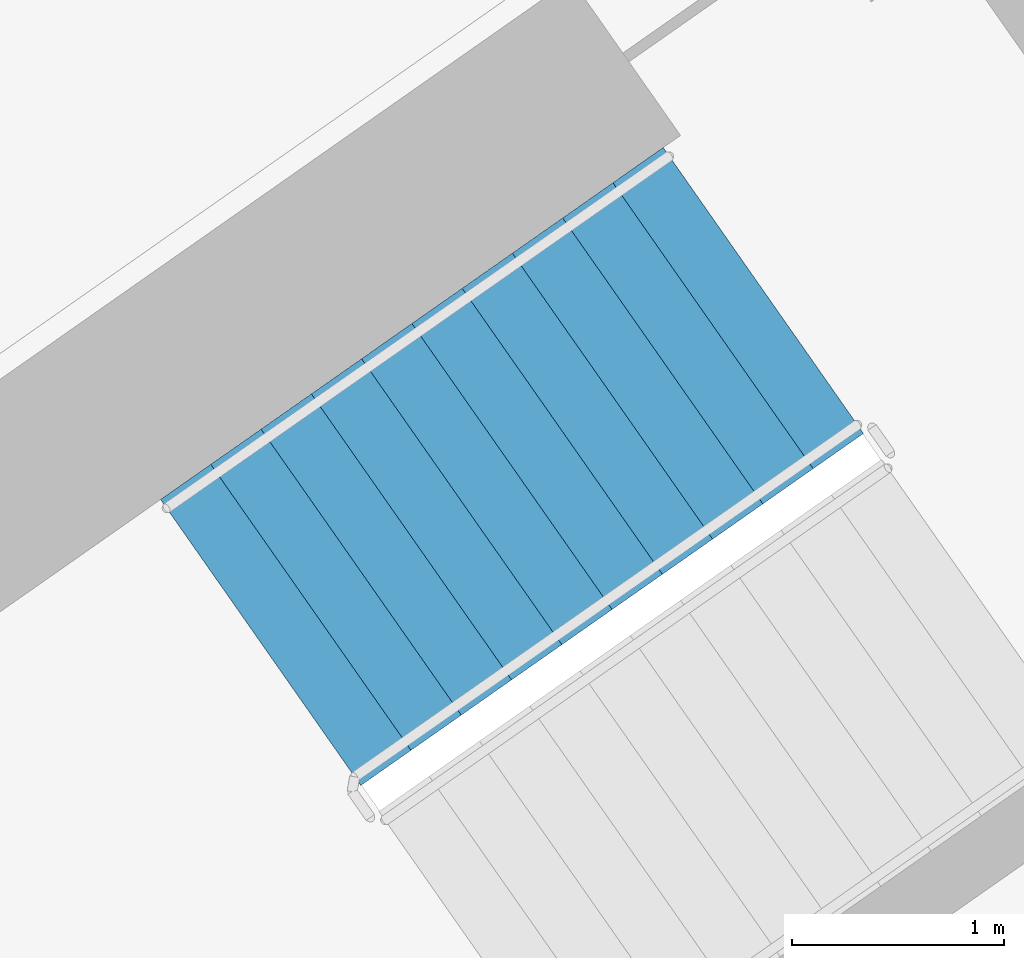
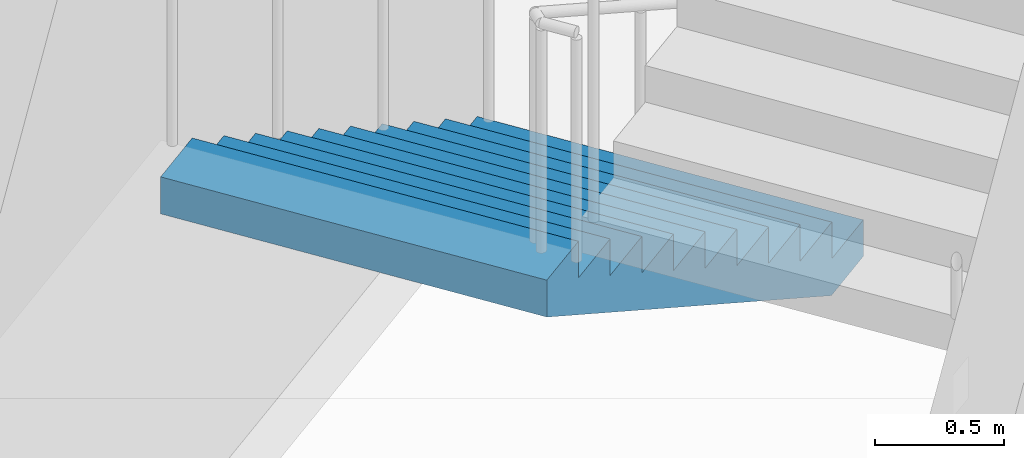
# One storey, part 13 of 29: 1 stair flight, 1 element without a shape of its own.
"""IFC4 building model written with IfcOpenShell, lengths in metres."""

from ifc_helpers import new_model, si_unit, direction, frame, origin, place, context, subcontext, project, spatial, faceted_brep, material, type_object, element, aggregate, save


model = new_model("IFC4")

# Units and contexts
model_context = context("Model", 3, precision=1e-05, world=origin(), true_north=direction((0.0, 1.0)))
body_context = subcontext(model_context, "Body", "Model", "MODEL_VIEW")
ifc_project = project(units=[si_unit("LENGTHUNIT", "METRE"), si_unit("AREAUNIT", "SQUARE_METRE"), si_unit("VOLUMEUNIT", "CUBIC_METRE"), si_unit("PLANEANGLEUNIT", "RADIAN"), si_unit("MASSUNIT", "GRAM", prefix="KILO")], contexts=[model_context])

# Site, building, storey
site_placement = place(None, origin())
site = spatial("IfcSite", under=ifc_project, at=site_placement, CompositionType="ELEMENT")
building_placement = place(site_placement, origin())
building = spatial("IfcBuilding", under=site, at=building_placement, Name="Qamariyya Broadcast Tower", CompositionType="ELEMENT")
storey_placement = place(building_placement, frame((0.0, 0.0, 132.89990234375)))
storey = spatial("IfcBuildingStorey", under=building, at=storey_placement, Name="L30", CompositionType="ELEMENT", Elevation=132.89990234375)

# Stair, stair flight
ifc_material = material(Name="Concrete C50/60", Category="concrete")
stair_type = type_object("IfcStairType", Name="Exit stair 22 risers of 173 mm", PredefinedType="HALF_TURN_STAIR", material=ifc_material)
stair_placement = place(storey_placement, origin())
stair = element("IfcStair", 1, at=stair_placement, inside=storey, type_object=stair_type, Name="L30 Stair E2", PredefinedType="HALF_TURN_STAIR")
stair_flight_type = type_object("IfcStairFlightType", Name="Exit stair flight 11 risers of 173 mm", PredefinedType="STRAIGHT", material=ifc_material)
stair_flight_placement = place(storey_placement, frame((40.558837890625, -47.685302734375, 0.0), z_axis=(0.0, 0.0, 1.0), x_axis=(-0.819152044289, -0.573576436351, 0.0)))
stair_flight = element("IfcStairFlight", 2, at=stair_flight_placement, type_object=stair_flight_type, Name="ST-E2 flight 1", NumberOfRisers=11, NumberOfTreads=10, PredefinedType="STRAIGHT", RiserHeight=0.172727273, TreadLength=0.29, context=body_context, shape_type="Brep", body=[
    faceted_brep([(0.0, 0.824951171875, 0.0), (0.0, 0.824951171875, 0.172607421875), (0.2900390625, 0.824951171875, 0.172607421875), (0.2900390625, 0.824951171875, 0.345458984375), (0.580078125, 0.824951171875, 0.345458984375), (0.580078125, 0.824951171875, 0.51806640625), (0.8701171875, 0.824951171875, 0.51806640625), (0.8701171875, 0.824951171875, 0.69091796875), (1.159912109375, 0.824951171875, 0.69091796875), (1.159912109375, 0.824951171875, 0.863525390625), (1.449951171875, 0.824951171875, 0.863525390625), (1.449951171875, 0.824951171875, 1.036376953125), (1.739990234375, 0.824951171875, 1.036376953125), (1.739990234375, 0.824951171875, 1.208984375), (2.030029296875, 0.824951171875, 1.208984375), (2.030029296875, 0.824951171875, 1.3818359375), (2.320068359375, 0.824951171875, 1.3818359375), (2.320068359375, 0.824951171875, 1.554443359375), (2.610107421875, 0.824951171875, 1.554443359375), (2.610107421875, 0.824951171875, 1.727294921875), (2.89990234375, 0.824951171875, 1.727294921875), (2.89990234375, 0.824951171875, 1.552734375), (0.29296875, 0.824951171875, 0.0), (0.29296875, -0.824951171875, 0.0), (2.89990234375, -0.824951171875, 1.552734375), (2.89990234375, -0.824951171875, 1.727294921875), (2.610107421875, -0.824951171875, 1.727294921875), (2.610107421875, -0.824951171875, 1.554443359375), (2.320068359375, -0.824951171875, 1.554443359375), (2.320068359375, -0.824951171875, 1.3818359375), (2.030029296875, -0.824951171875, 1.3818359375), (2.030029296875, -0.824951171875, 1.208984375), (1.739990234375, -0.824951171875, 1.208984375), (1.739990234375, -0.824951171875, 1.036376953125), (1.449951171875, -0.824951171875, 1.036376953125), (1.449951171875, -0.824951171875, 0.863525390625), (1.159912109375, -0.824951171875, 0.863525390625), (1.159912109375, -0.824951171875, 0.69091796875), (0.8701171875, -0.824951171875, 0.69091796875), (0.8701171875, -0.824951171875, 0.51806640625), (0.580078125, -0.824951171875, 0.51806640625), (0.580078125, -0.824951171875, 0.345458984375), (0.2900390625, -0.824951171875, 0.345458984375), (0.2900390625, -0.824951171875, 0.172607421875), (0.0, -0.824951171875, 0.172607421875), (0.0, -0.824951171875, 0.0), (0.0, 0.10009765625, 0.0), (0.0, 0.086669921875, 0.0), (0.0, 0.0732421875, 0.0), (0.0, 0.06005859375, 0.0), (0.0, 0.046630859375, 0.0), (0.0, 0.033447265625, 0.0), (0.0, 0.02001953125, 0.0), (0.0, 0.006591796875, 0.0), (0.0, -0.006591796875, 0.0), (0.0, -0.02001953125, 0.0), (0.0, -0.033447265625, 0.0), (0.0, -0.046630859375, 0.0), (0.0, -0.06005859375, 0.0), (0.0, -0.0732421875, 0.0), (0.0, -0.086669921875, 0.0), (0.0, -0.10009765625, 0.0), (0.0, -0.10009765625, 0.172607421875), (0.0, -0.086669921875, 0.172607421875), (0.0, -0.0732421875, 0.172607421875), (0.0, -0.06005859375, 0.172607421875), (0.0, -0.046630859375, 0.172607421875), (0.0, -0.033447265625, 0.172607421875), (0.0, -0.02001953125, 0.172607421875), (0.0, -0.006591796875, 0.172607421875), (0.0, 0.006591796875, 0.172607421875), (0.0, 0.02001953125, 0.172607421875), (0.0, 0.033447265625, 0.172607421875), (0.0, 0.046630859375, 0.172607421875), (0.0, 0.06005859375, 0.172607421875), (0.0, 0.0732421875, 0.172607421875), (0.0, 0.086669921875, 0.172607421875), (0.0, 0.10009765625, 0.172607421875), (0.2900390625, -0.10009765625, 0.172607421875), (0.2900390625, -0.086669921875, 0.172607421875), (0.2900390625, -0.0732421875, 0.172607421875), (0.2900390625, -0.06005859375, 0.172607421875), (0.2900390625, -0.046630859375, 0.172607421875), (0.2900390625, -0.033447265625, 0.172607421875), (0.2900390625, -0.02001953125, 0.172607421875), (0.2900390625, -0.006591796875, 0.172607421875), (0.2900390625, 0.006591796875, 0.172607421875), (0.2900390625, 0.02001953125, 0.172607421875), (0.2900390625, 0.033447265625, 0.172607421875), (0.2900390625, 0.046630859375, 0.172607421875), (0.2900390625, 0.06005859375, 0.172607421875), (0.2900390625, 0.0732421875, 0.172607421875), (0.2900390625, 0.086669921875, 0.172607421875), (0.2900390625, 0.10009765625, 0.172607421875), (0.2900390625, -0.10009765625, 0.345458984375), (0.2900390625, -0.086669921875, 0.345458984375), (0.2900390625, -0.0732421875, 0.345458984375), (0.2900390625, -0.06005859375, 0.345458984375), (0.2900390625, -0.046630859375, 0.345458984375), (0.2900390625, -0.033447265625, 0.345458984375), (0.2900390625, -0.02001953125, 0.345458984375), (0.2900390625, -0.006591796875, 0.345458984375), (0.2900390625, 0.006591796875, 0.345458984375), (0.2900390625, 0.02001953125, 0.345458984375), (0.2900390625, 0.033447265625, 0.345458984375), (0.2900390625, 0.046630859375, 0.345458984375), (0.2900390625, 0.06005859375, 0.345458984375), (0.2900390625, 0.0732421875, 0.345458984375), (0.2900390625, 0.086669921875, 0.345458984375), (0.2900390625, 0.10009765625, 0.345458984375), (0.580078125, -0.10009765625, 0.345458984375), (0.580078125, -0.086669921875, 0.345458984375), (0.580078125, -0.0732421875, 0.345458984375), (0.580078125, -0.06005859375, 0.345458984375), (0.580078125, -0.046630859375, 0.345458984375), (0.580078125, -0.033447265625, 0.345458984375), (0.580078125, -0.02001953125, 0.345458984375), (0.580078125, -0.006591796875, 0.345458984375), (0.580078125, 0.006591796875, 0.345458984375), (0.580078125, 0.02001953125, 0.345458984375), (0.580078125, 0.033447265625, 0.345458984375), (0.580078125, 0.046630859375, 0.345458984375), (0.580078125, 0.06005859375, 0.345458984375), (0.580078125, 0.0732421875, 0.345458984375), (0.580078125, 0.086669921875, 0.345458984375), (0.580078125, 0.10009765625, 0.345458984375), (0.580078125, -0.10009765625, 0.51806640625), (0.580078125, -0.086669921875, 0.51806640625), (0.580078125, -0.0732421875, 0.51806640625), (0.580078125, -0.06005859375, 0.51806640625), (0.580078125, -0.046630859375, 0.51806640625), (0.580078125, -0.033447265625, 0.51806640625), (0.580078125, -0.02001953125, 0.51806640625), (0.580078125, -0.006591796875, 0.51806640625), (0.580078125, 0.006591796875, 0.51806640625), (0.580078125, 0.02001953125, 0.51806640625), (0.580078125, 0.033447265625, 0.51806640625), (0.580078125, 0.046630859375, 0.51806640625), (0.580078125, 0.06005859375, 0.51806640625), (0.580078125, 0.0732421875, 0.51806640625), (0.580078125, 0.086669921875, 0.51806640625), (0.580078125, 0.10009765625, 0.51806640625), (0.8701171875, -0.10009765625, 0.51806640625), (0.8701171875, -0.086669921875, 0.51806640625), (0.8701171875, -0.0732421875, 0.51806640625), (0.8701171875, -0.06005859375, 0.51806640625), (0.8701171875, -0.046630859375, 0.51806640625), (0.8701171875, -0.033447265625, 0.51806640625), (0.8701171875, -0.02001953125, 0.51806640625), (0.8701171875, -0.006591796875, 0.51806640625), (0.8701171875, 0.006591796875, 0.51806640625), (0.8701171875, 0.02001953125, 0.51806640625), (0.8701171875, 0.033447265625, 0.51806640625), (0.8701171875, 0.046630859375, 0.51806640625), (0.8701171875, 0.06005859375, 0.51806640625), (0.8701171875, 0.0732421875, 0.51806640625), (0.8701171875, 0.086669921875, 0.51806640625), (0.8701171875, 0.10009765625, 0.51806640625), (0.8701171875, -0.10009765625, 0.69091796875), (0.8701171875, -0.086669921875, 0.69091796875), (0.8701171875, -0.0732421875, 0.69091796875), (0.8701171875, -0.06005859375, 0.69091796875), (0.8701171875, -0.046630859375, 0.69091796875), (0.8701171875, -0.033447265625, 0.69091796875), (0.8701171875, -0.02001953125, 0.69091796875), (0.8701171875, -0.006591796875, 0.69091796875), (0.8701171875, 0.006591796875, 0.69091796875), (0.8701171875, 0.02001953125, 0.69091796875), (0.8701171875, 0.033447265625, 0.69091796875), (0.8701171875, 0.046630859375, 0.69091796875), (0.8701171875, 0.06005859375, 0.69091796875), (0.8701171875, 0.0732421875, 0.69091796875), (0.8701171875, 0.086669921875, 0.69091796875), (0.8701171875, 0.10009765625, 0.69091796875), (1.159912109375, -0.10009765625, 0.69091796875), (1.159912109375, -0.086669921875, 0.69091796875), (1.159912109375, -0.0732421875, 0.69091796875), (1.159912109375, -0.06005859375, 0.69091796875), (1.159912109375, -0.046630859375, 0.69091796875), (1.159912109375, -0.033447265625, 0.69091796875), (1.159912109375, -0.02001953125, 0.69091796875), (1.159912109375, -0.006591796875, 0.69091796875), (1.159912109375, 0.006591796875, 0.69091796875), (1.159912109375, 0.02001953125, 0.69091796875), (1.159912109375, 0.033447265625, 0.69091796875), (1.159912109375, 0.046630859375, 0.69091796875), (1.159912109375, 0.06005859375, 0.69091796875), (1.159912109375, 0.0732421875, 0.69091796875), (1.159912109375, 0.086669921875, 0.69091796875), (1.159912109375, 0.10009765625, 0.69091796875), (1.159912109375, -0.10009765625, 0.863525390625), (1.159912109375, -0.086669921875, 0.863525390625), (1.159912109375, -0.0732421875, 0.863525390625), (1.159912109375, -0.06005859375, 0.863525390625), (1.159912109375, -0.046630859375, 0.863525390625), (1.159912109375, -0.033447265625, 0.863525390625), (1.159912109375, -0.02001953125, 0.863525390625), (1.159912109375, -0.006591796875, 0.863525390625), (1.159912109375, 0.006591796875, 0.863525390625), (1.159912109375, 0.02001953125, 0.863525390625), (1.159912109375, 0.033447265625, 0.863525390625), (1.159912109375, 0.046630859375, 0.863525390625), (1.159912109375, 0.06005859375, 0.863525390625), (1.159912109375, 0.0732421875, 0.863525390625), (1.159912109375, 0.086669921875, 0.863525390625), (1.159912109375, 0.10009765625, 0.863525390625), (1.449951171875, -0.10009765625, 0.863525390625), (1.449951171875, -0.086669921875, 0.863525390625), (1.449951171875, -0.0732421875, 0.863525390625), (1.449951171875, -0.06005859375, 0.863525390625), (1.449951171875, -0.046630859375, 0.863525390625), (1.449951171875, -0.033447265625, 0.863525390625), (1.449951171875, -0.02001953125, 0.863525390625), (1.449951171875, -0.006591796875, 0.863525390625), (1.449951171875, 0.006591796875, 0.863525390625), (1.449951171875, 0.02001953125, 0.863525390625), (1.449951171875, 0.033447265625, 0.863525390625), (1.449951171875, 0.046630859375, 0.863525390625), (1.449951171875, 0.06005859375, 0.863525390625), (1.449951171875, 0.0732421875, 0.863525390625), (1.449951171875, 0.086669921875, 0.863525390625), (1.449951171875, 0.10009765625, 0.863525390625), (1.449951171875, -0.10009765625, 1.036376953125), (1.449951171875, -0.086669921875, 1.036376953125), (1.449951171875, -0.0732421875, 1.036376953125), (1.449951171875, -0.06005859375, 1.036376953125), (1.449951171875, -0.046630859375, 1.036376953125), (1.449951171875, -0.033447265625, 1.036376953125), (1.449951171875, -0.02001953125, 1.036376953125), (1.449951171875, -0.006591796875, 1.036376953125), (1.449951171875, 0.006591796875, 1.036376953125), (1.449951171875, 0.02001953125, 1.036376953125), (1.449951171875, 0.033447265625, 1.036376953125), (1.449951171875, 0.046630859375, 1.036376953125), (1.449951171875, 0.06005859375, 1.036376953125), (1.449951171875, 0.0732421875, 1.036376953125), (1.449951171875, 0.086669921875, 1.036376953125), (1.449951171875, 0.10009765625, 1.036376953125), (1.739990234375, -0.10009765625, 1.036376953125), (1.739990234375, -0.086669921875, 1.036376953125), (1.739990234375, -0.0732421875, 1.036376953125), (1.739990234375, -0.06005859375, 1.036376953125), (1.739990234375, -0.046630859375, 1.036376953125), (1.739990234375, -0.033447265625, 1.036376953125), (1.739990234375, -0.02001953125, 1.036376953125), (1.739990234375, -0.006591796875, 1.036376953125), (1.739990234375, 0.006591796875, 1.036376953125), (1.739990234375, 0.02001953125, 1.036376953125), (1.739990234375, 0.033447265625, 1.036376953125), (1.739990234375, 0.046630859375, 1.036376953125), (1.739990234375, 0.06005859375, 1.036376953125), (1.739990234375, 0.0732421875, 1.036376953125), (1.739990234375, 0.086669921875, 1.036376953125), (1.739990234375, 0.10009765625, 1.036376953125), (1.739990234375, -0.10009765625, 1.208984375), (1.739990234375, -0.086669921875, 1.208984375), (1.739990234375, -0.0732421875, 1.208984375), (1.739990234375, -0.06005859375, 1.208984375), (1.739990234375, -0.046630859375, 1.208984375), (1.739990234375, -0.033447265625, 1.208984375), (1.739990234375, -0.02001953125, 1.208984375), (1.739990234375, -0.006591796875, 1.208984375), (1.739990234375, 0.006591796875, 1.208984375), (1.739990234375, 0.02001953125, 1.208984375), (1.739990234375, 0.033447265625, 1.208984375), (1.739990234375, 0.046630859375, 1.208984375), (1.739990234375, 0.06005859375, 1.208984375), (1.739990234375, 0.0732421875, 1.208984375), (1.739990234375, 0.086669921875, 1.208984375), (1.739990234375, 0.10009765625, 1.208984375), (2.030029296875, -0.10009765625, 1.208984375), (2.030029296875, -0.086669921875, 1.208984375), (2.030029296875, -0.0732421875, 1.208984375), (2.030029296875, -0.06005859375, 1.208984375), (2.030029296875, -0.046630859375, 1.208984375), (2.030029296875, -0.033447265625, 1.208984375), (2.030029296875, -0.02001953125, 1.208984375), (2.030029296875, -0.006591796875, 1.208984375), (2.030029296875, 0.006591796875, 1.208984375), (2.030029296875, 0.02001953125, 1.208984375), (2.030029296875, 0.033447265625, 1.208984375), (2.030029296875, 0.046630859375, 1.208984375), (2.030029296875, 0.06005859375, 1.208984375), (2.030029296875, 0.0732421875, 1.208984375), (2.030029296875, 0.086669921875, 1.208984375), (2.030029296875, 0.10009765625, 1.208984375), (2.030029296875, -0.10009765625, 1.3818359375), (2.030029296875, -0.086669921875, 1.3818359375), (2.030029296875, -0.0732421875, 1.3818359375), (2.030029296875, -0.06005859375, 1.3818359375), (2.030029296875, -0.046630859375, 1.3818359375), (2.030029296875, -0.033447265625, 1.3818359375), (2.030029296875, -0.02001953125, 1.3818359375), (2.030029296875, -0.006591796875, 1.3818359375), (2.030029296875, 0.006591796875, 1.3818359375), (2.030029296875, 0.02001953125, 1.3818359375), (2.030029296875, 0.033447265625, 1.3818359375), (2.030029296875, 0.046630859375, 1.3818359375), (2.030029296875, 0.06005859375, 1.3818359375), (2.030029296875, 0.0732421875, 1.3818359375), (2.030029296875, 0.086669921875, 1.3818359375), (2.030029296875, 0.10009765625, 1.3818359375), (2.320068359375, -0.10009765625, 1.3818359375), (2.320068359375, -0.086669921875, 1.3818359375), (2.320068359375, -0.0732421875, 1.3818359375), (2.320068359375, -0.06005859375, 1.3818359375), (2.320068359375, -0.046630859375, 1.3818359375), (2.320068359375, -0.033447265625, 1.3818359375), (2.320068359375, -0.02001953125, 1.3818359375), (2.320068359375, -0.006591796875, 1.3818359375), (2.320068359375, 0.006591796875, 1.3818359375), (2.320068359375, 0.02001953125, 1.3818359375), (2.320068359375, 0.033447265625, 1.3818359375), (2.320068359375, 0.046630859375, 1.3818359375), (2.320068359375, 0.06005859375, 1.3818359375), (2.320068359375, 0.0732421875, 1.3818359375), (2.320068359375, 0.086669921875, 1.3818359375), (2.320068359375, 0.10009765625, 1.3818359375), (2.320068359375, -0.10009765625, 1.554443359375), (2.320068359375, -0.086669921875, 1.554443359375), (2.320068359375, -0.0732421875, 1.554443359375), (2.320068359375, -0.06005859375, 1.554443359375), (2.320068359375, -0.046630859375, 1.554443359375), (2.320068359375, -0.033447265625, 1.554443359375), (2.320068359375, -0.02001953125, 1.554443359375), (2.320068359375, -0.006591796875, 1.554443359375), (2.320068359375, 0.006591796875, 1.554443359375), (2.320068359375, 0.02001953125, 1.554443359375), (2.320068359375, 0.033447265625, 1.554443359375), (2.320068359375, 0.046630859375, 1.554443359375), (2.320068359375, 0.06005859375, 1.554443359375), (2.320068359375, 0.0732421875, 1.554443359375), (2.320068359375, 0.086669921875, 1.554443359375), (2.320068359375, 0.10009765625, 1.554443359375), (2.610107421875, -0.10009765625, 1.554443359375), (2.610107421875, -0.086669921875, 1.554443359375), (2.610107421875, -0.0732421875, 1.554443359375), (2.610107421875, -0.06005859375, 1.554443359375), (2.610107421875, -0.046630859375, 1.554443359375), (2.610107421875, -0.033447265625, 1.554443359375), (2.610107421875, -0.02001953125, 1.554443359375), (2.610107421875, -0.006591796875, 1.554443359375), (2.610107421875, 0.006591796875, 1.554443359375), (2.610107421875, 0.02001953125, 1.554443359375), (2.610107421875, 0.033447265625, 1.554443359375), (2.610107421875, 0.046630859375, 1.554443359375), (2.610107421875, 0.06005859375, 1.554443359375), (2.610107421875, 0.0732421875, 1.554443359375), (2.610107421875, 0.086669921875, 1.554443359375), (2.610107421875, 0.10009765625, 1.554443359375), (2.610107421875, -0.10009765625, 1.727294921875), (2.610107421875, -0.086669921875, 1.727294921875), (2.610107421875, -0.0732421875, 1.727294921875), (2.610107421875, -0.06005859375, 1.727294921875), (2.610107421875, -0.046630859375, 1.727294921875), (2.610107421875, -0.033447265625, 1.727294921875), (2.610107421875, -0.02001953125, 1.727294921875), (2.610107421875, -0.006591796875, 1.727294921875), (2.610107421875, 0.006591796875, 1.727294921875), (2.610107421875, 0.02001953125, 1.727294921875), (2.610107421875, 0.033447265625, 1.727294921875), (2.610107421875, 0.046630859375, 1.727294921875), (2.610107421875, 0.06005859375, 1.727294921875), (2.610107421875, 0.0732421875, 1.727294921875), (2.610107421875, 0.086669921875, 1.727294921875), (2.610107421875, 0.10009765625, 1.727294921875), (2.89990234375, -0.10009765625, 1.727294921875), (2.89990234375, -0.086669921875, 1.727294921875), (2.89990234375, -0.0732421875, 1.727294921875), (2.89990234375, -0.06005859375, 1.727294921875), (2.89990234375, -0.046630859375, 1.727294921875), (2.89990234375, -0.033447265625, 1.727294921875), (2.89990234375, -0.02001953125, 1.727294921875), (2.89990234375, -0.006591796875, 1.727294921875), (2.89990234375, 0.006591796875, 1.727294921875), (2.89990234375, 0.02001953125, 1.727294921875), (2.89990234375, 0.033447265625, 1.727294921875), (2.89990234375, 0.046630859375, 1.727294921875), (2.89990234375, 0.06005859375, 1.727294921875), (2.89990234375, 0.0732421875, 1.727294921875), (2.89990234375, 0.086669921875, 1.727294921875), (2.89990234375, 0.10009765625, 1.727294921875), (2.89990234375, -0.10009765625, 1.552734375), (2.89990234375, -0.086669921875, 1.552734375), (2.89990234375, -0.0732421875, 1.552734375), (2.89990234375, -0.06005859375, 1.552734375), (2.89990234375, -0.046630859375, 1.552734375), (2.89990234375, -0.033447265625, 1.552734375), (2.89990234375, -0.02001953125, 1.552734375), (2.89990234375, -0.006591796875, 1.552734375), (2.89990234375, 0.006591796875, 1.552734375), (2.89990234375, 0.02001953125, 1.552734375), (2.89990234375, 0.033447265625, 1.552734375), (2.89990234375, 0.046630859375, 1.552734375), (2.89990234375, 0.06005859375, 1.552734375), (2.89990234375, 0.0732421875, 1.552734375), (2.89990234375, 0.086669921875, 1.552734375), (2.89990234375, 0.10009765625, 1.552734375), (0.29296875, -0.10009765625, 0.0), (0.29296875, -0.086669921875, 0.0), (0.29296875, -0.0732421875, 0.0), (0.29296875, -0.06005859375, 0.0), (0.29296875, -0.046630859375, 0.0), (0.29296875, -0.033447265625, 0.0), (0.29296875, -0.02001953125, 0.0), (0.29296875, -0.006591796875, 0.0), (0.29296875, 0.006591796875, 0.0), (0.29296875, 0.02001953125, 0.0), (0.29296875, 0.033447265625, 0.0), (0.29296875, 0.046630859375, 0.0), (0.29296875, 0.06005859375, 0.0), (0.29296875, 0.0732421875, 0.0), (0.29296875, 0.086669921875, 0.0), (0.29296875, 0.10009765625, 0.0)], [[[0, 1, 2, 3, 4, 5, 6, 7, 8, 9, 10, 11, 12, 13, 14, 15, 16, 17, 18, 19, 20, 21, 22]], [[23, 24, 25, 26, 27, 28, 29, 30, 31, 32, 33, 34, 35, 36, 37, 38, 39, 40, 41, 42, 43, 44, 45]], [[0, 46, 47, 48, 49, 50, 51, 52, 53, 54, 55, 56, 57, 58, 59, 60, 61, 45, 44, 62, 63, 64, 65, 66, 67, 68, 69, 70, 71, 72, 73, 74, 75, 76, 77, 1]], [[1, 77, 76, 75, 74, 73, 72, 71, 70, 69, 68, 67, 66, 65, 64, 63, 62, 44, 43, 78, 79, 80, 81, 82, 83, 84, 85, 86, 87, 88, 89, 90, 91, 92, 93, 2]], [[2, 93, 92, 91, 90, 89, 88, 87, 86, 85, 84, 83, 82, 81, 80, 79, 78, 43, 42, 94, 95, 96, 97, 98, 99, 100, 101, 102, 103, 104, 105, 106, 107, 108, 109, 3]], [[3, 109, 108, 107, 106, 105, 104, 103, 102, 101, 100, 99, 98, 97, 96, 95, 94, 42, 41, 110, 111, 112, 113, 114, 115, 116, 117, 118, 119, 120, 121, 122, 123, 124, 125, 4]], [[4, 125, 124, 123, 122, 121, 120, 119, 118, 117, 116, 115, 114, 113, 112, 111, 110, 41, 40, 126, 127, 128, 129, 130, 131, 132, 133, 134, 135, 136, 137, 138, 139, 140, 141, 5]], [[5, 141, 140, 139, 138, 137, 136, 135, 134, 133, 132, 131, 130, 129, 128, 127, 126, 40, 39, 142, 143, 144, 145, 146, 147, 148, 149, 150, 151, 152, 153, 154, 155, 156, 157, 6]], [[6, 157, 156, 155, 154, 153, 152, 151, 150, 149, 148, 147, 146, 145, 144, 143, 142, 39, 38, 158, 159, 160, 161, 162, 163, 164, 165, 166, 167, 168, 169, 170, 171, 172, 173, 7]], [[7, 173, 172, 171, 170, 169, 168, 167, 166, 165, 164, 163, 162, 161, 160, 159, 158, 38, 37, 174, 175, 176, 177, 178, 179, 180, 181, 182, 183, 184, 185, 186, 187, 188, 189, 8]], [[8, 189, 188, 187, 186, 185, 184, 183, 182, 181, 180, 179, 178, 177, 176, 175, 174, 37, 36, 190, 191, 192, 193, 194, 195, 196, 197, 198, 199, 200, 201, 202, 203, 204, 205, 9]], [[9, 205, 204, 203, 202, 201, 200, 199, 198, 197, 196, 195, 194, 193, 192, 191, 190, 36, 35, 206, 207, 208, 209, 210, 211, 212, 213, 214, 215, 216, 217, 218, 219, 220, 221, 10]], [[10, 221, 220, 219, 218, 217, 216, 215, 214, 213, 212, 211, 210, 209, 208, 207, 206, 35, 34, 222, 223, 224, 225, 226, 227, 228, 229, 230, 231, 232, 233, 234, 235, 236, 237, 11]], [[11, 237, 236, 235, 234, 233, 232, 231, 230, 229, 228, 227, 226, 225, 224, 223, 222, 34, 33, 238, 239, 240, 241, 242, 243, 244, 245, 246, 247, 248, 249, 250, 251, 252, 253, 12]], [[12, 253, 252, 251, 250, 249, 248, 247, 246, 245, 244, 243, 242, 241, 240, 239, 238, 33, 32, 254, 255, 256, 257, 258, 259, 260, 261, 262, 263, 264, 265, 266, 267, 268, 269, 13]], [[13, 269, 268, 267, 266, 265, 264, 263, 262, 261, 260, 259, 258, 257, 256, 255, 254, 32, 31, 270, 271, 272, 273, 274, 275, 276, 277, 278, 279, 280, 281, 282, 283, 284, 285, 14]], [[14, 285, 284, 283, 282, 281, 280, 279, 278, 277, 276, 275, 274, 273, 272, 271, 270, 31, 30, 286, 287, 288, 289, 290, 291, 292, 293, 294, 295, 296, 297, 298, 299, 300, 301, 15]], [[15, 301, 300, 299, 298, 297, 296, 295, 294, 293, 292, 291, 290, 289, 288, 287, 286, 30, 29, 302, 303, 304, 305, 306, 307, 308, 309, 310, 311, 312, 313, 314, 315, 316, 317, 16]], [[16, 317, 316, 315, 314, 313, 312, 311, 310, 309, 308, 307, 306, 305, 304, 303, 302, 29, 28, 318, 319, 320, 321, 322, 323, 324, 325, 326, 327, 328, 329, 330, 331, 332, 333, 17]], [[17, 333, 332, 331, 330, 329, 328, 327, 326, 325, 324, 323, 322, 321, 320, 319, 318, 28, 27, 334, 335, 336, 337, 338, 339, 340, 341, 342, 343, 344, 345, 346, 347, 348, 349, 18]], [[18, 349, 348, 347, 346, 345, 344, 343, 342, 341, 340, 339, 338, 337, 336, 335, 334, 27, 26, 350, 351, 352, 353, 354, 355, 356, 357, 358, 359, 360, 361, 362, 363, 364, 365, 19]], [[19, 365, 364, 363, 362, 361, 360, 359, 358, 357, 356, 355, 354, 353, 352, 351, 350, 26, 25, 366, 367, 368, 369, 370, 371, 372, 373, 374, 375, 376, 377, 378, 379, 380, 381, 20]], [[20, 381, 380, 379, 378, 377, 376, 375, 374, 373, 372, 371, 370, 369, 368, 367, 366, 25, 24, 382, 383, 384, 385, 386, 387, 388, 389, 390, 391, 392, 393, 394, 395, 396, 397, 21]], [[21, 397, 396, 395, 394, 393, 392, 391, 390, 389, 388, 387, 386, 385, 384, 383, 382, 24, 23, 398, 399, 400, 401, 402, 403, 404, 405, 406, 407, 408, 409, 410, 411, 412, 413, 22]], [[22, 413, 412, 411, 410, 409, 408, 407, 406, 405, 404, 403, 402, 401, 400, 399, 398, 23, 45, 61, 60, 59, 58, 57, 56, 55, 54, 53, 52, 51, 50, 49, 48, 47, 46, 0]]]),
])
aggregate(stair, [stair_flight])

save(model, "model.ifc")
